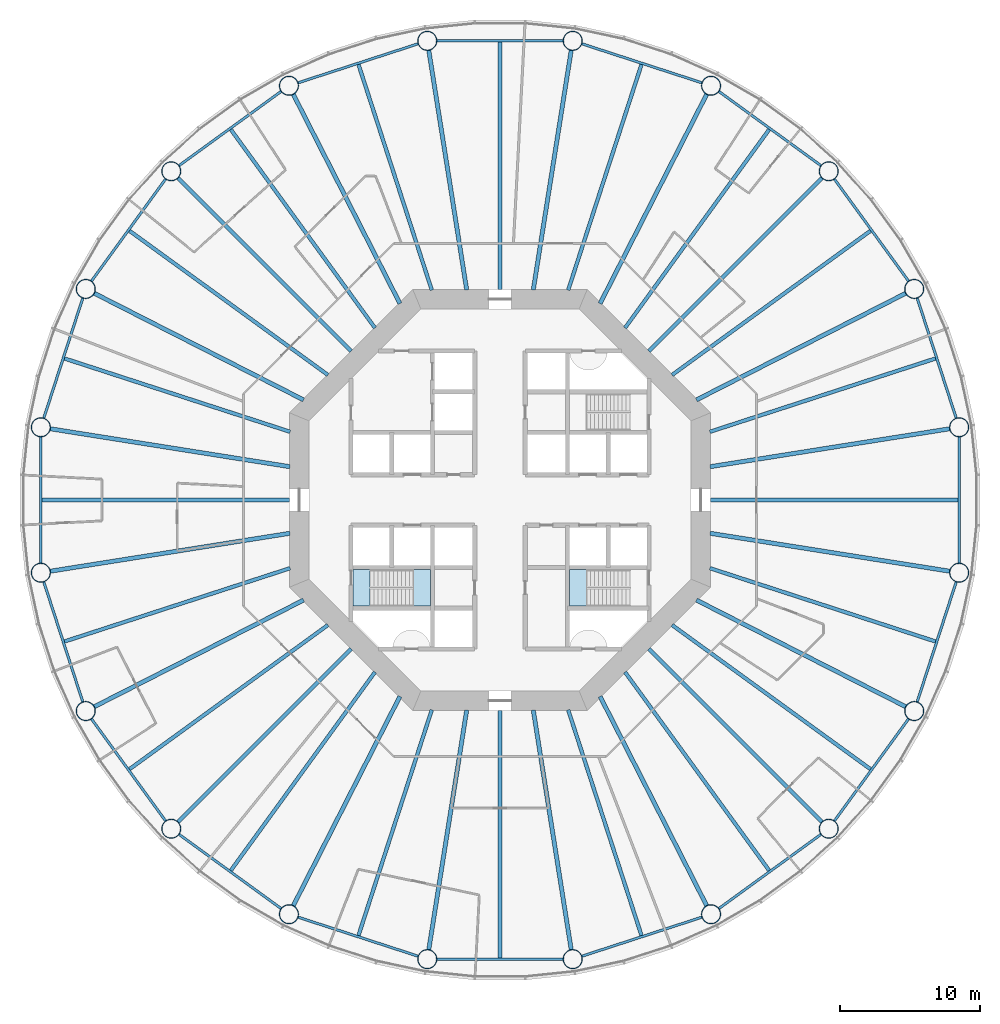
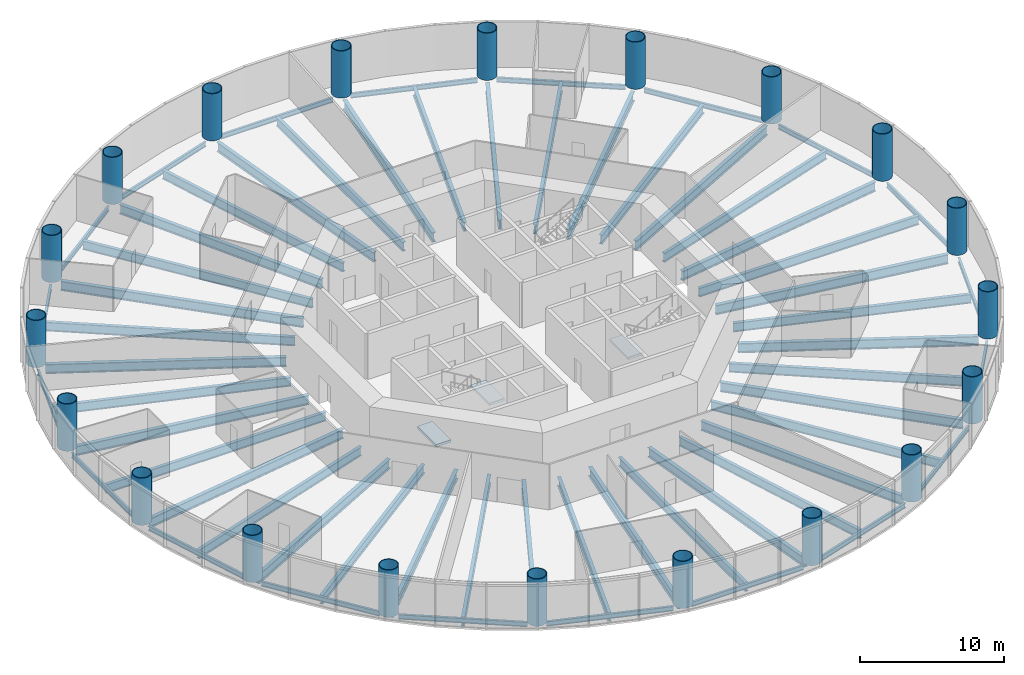
# One storey, part 1 of 13: 60 beams, 20 columns, 3 slabs, 2 elements without a shape of their own.
"""IFC4 building model written with IfcOpenShell, lengths in metres."""

from ifc_helpers import new_model, si_unit, direction, frame, origin, origin_2d, place, context, subcontext, project, spatial, polyline, circle, hollow_circle, i_section, outline, extrude, material, layer, layer_set, material_profile, profile_set, type_object, element, aggregate, save


model = new_model("IFC4")

# Units and contexts
model_context = context("Model", 3, precision=1e-05, world=origin(), true_north=direction((0.0, 1.0)))
body_context = subcontext(model_context, "Body", "Model", "MODEL_VIEW")
ifc_project = project(units=[si_unit("LENGTHUNIT", "METRE"), si_unit("AREAUNIT", "SQUARE_METRE"), si_unit("VOLUMEUNIT", "CUBIC_METRE"), si_unit("PLANEANGLEUNIT", "RADIAN"), si_unit("MASSUNIT", "GRAM", prefix="KILO")], contexts=[model_context])

# Site, building, storey
site_placement = place(None, origin())
site = spatial("IfcSite", under=ifc_project, at=site_placement, CompositionType="ELEMENT")
building_placement = place(site_placement, origin())
building = spatial("IfcBuilding", under=site, at=building_placement, Name="Entoto Ring Tower", CompositionType="ELEMENT")
storey_placement = place(building_placement, frame((0.0, 0.0, 58.0)))
storey = spatial("IfcBuildingStorey", under=building, at=storey_placement, Name="L12", CompositionType="ELEMENT", Elevation=58.0)

# Columns
ifc_material_1 = material(Name="Steel S355", Category="steel")
ifc_material_profile_1 = material_profile(ifc_material_1, hollow_circle(Radius=0.699951171875, WallThickness=0.06005859375, at=origin_2d()), Name="CHS 1400 x 60")
ifc_material_2 = material(Name="Concrete C60/75", Category="concrete")
ifc_material_profile_2 = material_profile(ifc_material_2, circle(Radius=0.639892578125, at=origin_2d()), Name="Concrete C60/75 infill")
ifc_profile_set_1 = profile_set([ifc_material_profile_1, ifc_material_profile_2], Name="Steel S355")
column_type = type_object("IfcColumnType", Name="Ring column 1400 x 60 concrete-filled tube", PredefinedType="COLUMN", material=ifc_profile_set_1)
for number, where, z_axis, x_axis, name in (
    (1, (122.6923828125, 85.177978515625, 0.0), (0.0, 0.0, 1.0), (1.0, 0.0, 0.0), "RC1 R01"),
    (2, (119.492431640625, 95.027099609375, 0.0), (0.0, 0.0, 1.0), (1.0, 0.0, 0.0), "RC1 R02"),
    (3, (113.4052734375, 103.4052734375, 0.0), (0.0, 0.0, 1.0), (1.0, 0.0, 0.0), "RC1 R03"),
    (4, (105.027099609375, 109.492431640625, 0.0), (0.0, 0.0, 1.0), (1.0, 0.0, 0.0), "RC1 R04"),
    (5, (95.177978515625, 112.6923828125, 0.0), (0.0, 0.0, 1.0), (1.0, 0.0, 0.0), "RC1 R05"),
    (6, (84.822021484375, 112.6923828125, 0.0), (0.0, 0.0, 1.0), (1.0, 0.0, 0.0), "RC1 R06"),
    (7, (74.972900390625, 109.492431640625, 0.0), (0.0, 0.0, 1.0), (1.0, 0.0, 0.0), "RC1 R07"),
    (8, (66.5947265625, 103.4052734375, 0.0), (0.0, 0.0, 1.0), (1.0, 0.0, 0.0), "RC1 R08"),
    (9, (60.507568359375, 95.027099609375, 0.0), (0.0, 0.0, 1.0), (1.0, 0.0, 0.0), "RC1 R09"),
    (10, (57.3076171875, 85.177978515625, 0.0), (0.0, 0.0, 1.0), (1.0, 0.0, 0.0), "RC1 R10"),
    (11, (57.3076171875, 74.822021484375, 0.0), (0.0, 0.0, 1.0), (1.0, 0.0, 0.0), "RC1 R11"),
    (12, (60.507568359375, 64.972900390625, 0.0), (0.0, 0.0, 1.0), (1.0, 0.0, 0.0), "RC1 R12"),
    (13, (66.5947265625, 56.5947265625, 0.0), (0.0, 0.0, 1.0), (1.0, 0.0, 0.0), "RC1 R13"),
    (14, (74.972900390625, 50.507568359375, 0.0), (0.0, 0.0, 1.0), (1.0, 0.0, 0.0), "RC1 R14"),
    (15, (84.822021484375, 47.3076171875, 0.0), (0.0, 0.0, 1.0), (1.0, 0.0, 0.0), "RC1 R15"),
    (16, (95.177978515625, 47.3076171875, 0.0), (0.0, 0.0, 1.0), (1.0, 0.0, 0.0), "RC1 R16"),
    (17, (105.027099609375, 50.507568359375, 0.0), (0.0, 0.0, 1.0), (1.0, 0.0, 0.0), "RC1 R17"),
    (18, (113.4052734375, 56.5947265625, 0.0), (0.0, 0.0, 1.0), (1.0, 0.0, 0.0), "RC1 R18"),
    (19, (119.492431640625, 64.972900390625, 0.0), (0.0, 0.0, 1.0), (1.0, 0.0, 0.0), "RC1 R19"),
    (20, (122.6923828125, 74.822021484375, 0.0), (0.0, 0.0, 1.0), (1.0, 0.0, 0.0), "RC1 R20"),
):
    element("IfcColumn", number, at=place(storey_placement, frame(where, z_axis=z_axis, x_axis=x_axis)), inside=storey, type_object=column_type, Name=name, PredefinedType="COLUMN", context=body_context, shape_type="SweptSolid", body=[
        extrude(hollow_circle(Radius=0.699951171875, WallThickness=0.06005859375, at=origin_2d()), origin(), (0.0, 0.0, 1.0), 4.0),
    ])

# Beams
ifc_material_3 = material(Name="Steel S355", Category="steel")
ifc_material_profile_3 = material_profile(ifc_material_3, i_section(OverallWidth=0.179931640625, OverallDepth=0.39990234375, WebThickness=0.008544921875, FlangeThickness=0.013427734375, FilletRadius=0.02099609375, at=origin_2d()), Name="IPE 400")
ifc_profile_set_2 = profile_set([ifc_material_profile_3], Name="Steel S355")
beam_type_1 = type_object("IfcBeamType", Name="Edge beam IPE 400", PredefinedType="SPANDREL", material=ifc_profile_set_2)
for number, where, z_axis, x_axis, name in (
    (21, (122.484130859375, 85.819091796875, -0.35009765625), (-0.309006400295, 0.951059958455, 0.0), (-0.951059958455, -0.309006400295, 0.0), "Edge beam L12 01"),
    (22, (119.09619140625, 95.572509765625, -0.35009765625), (-0.587792917156, 0.80901142547, 0.0), (-0.80901142547, -0.587792917156, 0.0), "Edge beam L12 02"),
    (23, (112.85986328125, 103.801513671875, -0.35009765625), (-0.80901142547, 0.587792917156, 0.0), (-0.587792917156, -0.80901142547, 0.0), "Edge beam L12 03"),
    (24, (104.385986328125, 109.70068359375, -0.35009765625), (-0.951059958455, 0.309006400295, 0.0), (-0.309006400295, -0.951059958455, 0.0), "Edge beam L12 04"),
    (25, (94.50390625, 112.6923828125, -0.35009765625), (-1.0, 0.0, 0.0), (0.0, -1.0, 0.0), "Edge beam L12 05"),
    (26, (84.180908203125, 112.484130859375, -0.35009765625), (-0.951059958455, -0.309006400295, 0.0), (0.309006400295, -0.951059958455, 0.0), "Edge beam L12 06"),
    (27, (74.427490234375, 109.09619140625, -0.35009765625), (-0.80901142547, -0.587792917156, 0.0), (0.587792917156, -0.80901142547, 0.0), "Edge beam L12 07"),
    (28, (66.198486328125, 102.85986328125, -0.35009765625), (-0.587792917156, -0.80901142547, 0.0), (0.80901142547, -0.587792917156, 0.0), "Edge beam L12 08"),
    (29, (60.29931640625, 94.385986328125, -0.35009765625), (-0.309006400295, -0.951059958455, 0.0), (0.951059958455, -0.309006400295, 0.0), "Edge beam L12 09"),
    (30, (57.3076171875, 84.50390625, -0.35009765625), (0.0, -1.0, 0.0), (1.0, 0.0, 0.0), "Edge beam L12 10"),
    (31, (57.515869140625, 74.180908203125, -0.35009765625), (0.309006400295, -0.951059958455, 0.0), (0.951059958455, 0.309006400295, 0.0), "Edge beam L12 11"),
    (32, (60.90380859375, 64.427490234375, -0.35009765625), (0.587792917156, -0.80901142547, 0.0), (0.80901142547, 0.587792917156, 0.0), "Edge beam L12 12"),
    (33, (67.14013671875, 56.198486328125, -0.35009765625), (0.80901142547, -0.587792917156, 0.0), (0.587792917156, 0.80901142547, 0.0), "Edge beam L12 13"),
    (34, (75.614013671875, 50.29931640625, -0.35009765625), (0.951059958455, -0.309006400295, 0.0), (0.309006400295, 0.951059958455, 0.0), "Edge beam L12 14"),
    (35, (85.49609375, 47.3076171875, -0.35009765625), (1.0, 0.0, 0.0), (0.0, 1.0, 0.0), "Edge beam L12 15"),
    (36, (95.819091796875, 47.515869140625, -0.35009765625), (0.951059958455, 0.309006400295, 0.0), (-0.309006400295, 0.951059958455, 0.0), "Edge beam L12 16"),
    (37, (105.572509765625, 50.90380859375, -0.35009765625), (0.80901142547, 0.587792917156, 0.0), (-0.587792917156, 0.80901142547, 0.0), "Edge beam L12 17"),
    (38, (113.801513671875, 57.14013671875, -0.35009765625), (0.587792917156, 0.80901142547, 0.0), (-0.80901142547, 0.587792917156, 0.0), "Edge beam L12 18"),
    (39, (119.70068359375, 65.614013671875, -0.35009765625), (0.309006400295, 0.951059958455, 0.0), (-0.951059958455, 0.309006400295, 0.0), "Edge beam L12 19"),
    (40, (122.6923828125, 75.49609375, -0.35009765625), (0.0, 1.0, 0.0), (-1.0, 0.0, 0.0), "Edge beam L12 20"),
):
    element("IfcBeam", number, at=place(storey_placement, frame(where, z_axis=z_axis, x_axis=x_axis)), inside=storey, type_object=beam_type_1, Name=name, PredefinedType="SPANDREL", context=body_context, shape_type="SweptSolid", body=[
        extrude(i_section(OverallWidth=0.179931640625, OverallDepth=0.39990234375, WebThickness=0.008544921875, FlangeThickness=0.013427734375, FilletRadius=0.02099609375, at=origin_2d()), origin(), (0.0, 0.0, 1.0), 9.0078125),
    ])
ifc_material_4 = material(Name="Steel S355", Category="steel")
ifc_material_profile_4 = material_profile(ifc_material_4, i_section(OverallWidth=0.300048828125, OverallDepth=0.800048828125, WebThickness=0.017578125, FlangeThickness=0.032958984375, FilletRadius=0.030029296875, at=origin_2d()), Name="HE 800 B")
ifc_profile_set_3 = profile_set([ifc_material_profile_4], Name="Steel S355")
beam_type_2 = type_object("IfcBeamType", Name="Primary floor beam HE 800 B", PredefinedType="BEAM", material=ifc_profile_set_3)
beam_1_placement = place(storey_placement, frame((104.956787109375, 82.368896484375, -0.550048828125), z_axis=(0.98768775999, 0.156438130794, 0.0), x_axis=(-0.156438130794, 0.98768775999, 0.0)))
element("IfcBeam", 41, at=beam_1_placement, inside=storey, type_object=beam_type_2, Name="Primary L12 R01", PredefinedType="BEAM", context=body_context, shape_type="SweptSolid", body=[
    extrude(i_section(OverallWidth=0.300048828125, OverallDepth=0.800048828125, WebThickness=0.017578125, FlangeThickness=0.032958984375, FilletRadius=0.030029296875, at=origin_2d()), origin(), (0.0, 0.0, 1.0), 17.293212890625),
])
beam_2_placement = place(storey_placement, frame((103.99169921875, 87.129150390625, -0.550048828125), z_axis=(0.891007761657, 0.453988071063, 0.0), x_axis=(-0.453988071063, 0.891007761657, 0.0)))
element("IfcBeam", 42, at=beam_2_placement, inside=storey, type_object=beam_type_2, Name="Primary L12 R02", PredefinedType="BEAM", context=body_context, shape_type="SweptSolid", body=[
    extrude(i_section(OverallWidth=0.300048828125, OverallDepth=0.800048828125, WebThickness=0.017578125, FlangeThickness=0.032958984375, FilletRadius=0.030029296875, at=origin_2d()), origin(), (0.0, 0.0, 1.0), 16.733154296875),
])
beam_3_placement = place(storey_placement, frame((100.592529296875, 90.592529296875, -0.550048828125), z_axis=(0.707106781187, 0.707106781187, 0.0), x_axis=(-0.707106781187, 0.707106781187, 0.0)))
element("IfcBeam", 43, at=beam_3_placement, inside=storey, type_object=beam_type_2, Name="Primary L12 R03", PredefinedType="BEAM", context=body_context, shape_type="SweptSolid", body=[
    extrude(i_section(OverallWidth=0.300048828125, OverallDepth=0.800048828125, WebThickness=0.017578125, FlangeThickness=0.032958984375, FilletRadius=0.030029296875, at=origin_2d()), origin(), (0.0, 0.0, 1.0), 17.456298828125),
])
beam_4_placement = place(storey_placement, frame((97.129150390625, 93.99169921875, -0.550048828125), z_axis=(0.453988071063, 0.891007761657, 0.0), x_axis=(-0.891007761657, 0.453988071063, 0.0)))
element("IfcBeam", 44, at=beam_4_placement, inside=storey, type_object=beam_type_2, Name="Primary L12 R04", PredefinedType="BEAM", context=body_context, shape_type="SweptSolid", body=[
    extrude(i_section(OverallWidth=0.300048828125, OverallDepth=0.800048828125, WebThickness=0.017578125, FlangeThickness=0.032958984375, FilletRadius=0.030029296875, at=origin_2d()), origin(), (0.0, 0.0, 1.0), 16.733154296875),
])
for number, where, z_axis, x_axis, name in (
    (45, (92.368896484375, 94.956787109375, -0.550048828125), (0.156438130794, 0.98768775999, 0.0), (-0.98768775999, 0.156438130794, 0.0), "Primary L12 R05"),
    (46, (87.631103515625, 94.956787109375, -0.550048828125), (-0.156438130794, 0.98768775999, 0.0), (-0.98768775999, -0.156438130794, 0.0), "Primary L12 R06"),
):
    element("IfcBeam", number, at=place(storey_placement, frame(where, z_axis=z_axis, x_axis=x_axis)), inside=storey, type_object=beam_type_2, Name=name, PredefinedType="BEAM", context=body_context, shape_type="SweptSolid", body=[
        extrude(i_section(OverallWidth=0.300048828125, OverallDepth=0.800048828125, WebThickness=0.017578125, FlangeThickness=0.032958984375, FilletRadius=0.030029296875, at=origin_2d()), origin(), (0.0, 0.0, 1.0), 17.293212890625),
    ])
beam_5_placement = place(storey_placement, frame((82.870849609375, 93.99169921875, -0.550048828125), z_axis=(-0.453988071063, 0.891007761657, 0.0), x_axis=(-0.891007761657, -0.453988071063, 0.0)))
element("IfcBeam", 47, at=beam_5_placement, inside=storey, type_object=beam_type_2, Name="Primary L12 R07", PredefinedType="BEAM", context=body_context, shape_type="SweptSolid", body=[
    extrude(i_section(OverallWidth=0.300048828125, OverallDepth=0.800048828125, WebThickness=0.017578125, FlangeThickness=0.032958984375, FilletRadius=0.030029296875, at=origin_2d()), origin(), (0.0, 0.0, 1.0), 16.733154296875),
])
beam_6_placement = place(storey_placement, frame((79.407470703125, 90.592529296875, -0.550048828125), z_axis=(-0.707106781187, 0.707106781187, 0.0), x_axis=(-0.707106781187, -0.707106781187, 0.0)))
element("IfcBeam", 48, at=beam_6_placement, inside=storey, type_object=beam_type_2, Name="Primary L12 R08", PredefinedType="BEAM", context=body_context, shape_type="SweptSolid", body=[
    extrude(i_section(OverallWidth=0.300048828125, OverallDepth=0.800048828125, WebThickness=0.017578125, FlangeThickness=0.032958984375, FilletRadius=0.030029296875, at=origin_2d()), origin(), (0.0, 0.0, 1.0), 17.456298828125),
])
beam_7_placement = place(storey_placement, frame((76.00830078125, 87.129150390625, -0.550048828125), z_axis=(-0.891007761657, 0.453988071063, 0.0), x_axis=(-0.453988071063, -0.891007761657, 0.0)))
element("IfcBeam", 49, at=beam_7_placement, inside=storey, type_object=beam_type_2, Name="Primary L12 R09", PredefinedType="BEAM", context=body_context, shape_type="SweptSolid", body=[
    extrude(i_section(OverallWidth=0.300048828125, OverallDepth=0.800048828125, WebThickness=0.017578125, FlangeThickness=0.032958984375, FilletRadius=0.030029296875, at=origin_2d()), origin(), (0.0, 0.0, 1.0), 16.733154296875),
])
for number, where, z_axis, x_axis, name in (
    (50, (75.043212890625, 82.368896484375, -0.550048828125), (-0.98768775999, 0.156438130794, 0.0), (-0.156438130794, -0.98768775999, 0.0), "Primary L12 R10"),
    (51, (75.043212890625, 77.631103515625, -0.550048828125), (-0.98768775999, -0.156438130794, 0.0), (0.156438130794, -0.98768775999, 0.0), "Primary L12 R11"),
):
    element("IfcBeam", number, at=place(storey_placement, frame(where, z_axis=z_axis, x_axis=x_axis)), inside=storey, type_object=beam_type_2, Name=name, PredefinedType="BEAM", context=body_context, shape_type="SweptSolid", body=[
        extrude(i_section(OverallWidth=0.300048828125, OverallDepth=0.800048828125, WebThickness=0.017578125, FlangeThickness=0.032958984375, FilletRadius=0.030029296875, at=origin_2d()), origin(), (0.0, 0.0, 1.0), 17.293212890625),
    ])
beam_8_placement = place(storey_placement, frame((76.00830078125, 72.870849609375, -0.550048828125), z_axis=(-0.891007761657, -0.453988071063, 0.0), x_axis=(0.453988071063, -0.891007761657, 0.0)))
element("IfcBeam", 52, at=beam_8_placement, inside=storey, type_object=beam_type_2, Name="Primary L12 R12", PredefinedType="BEAM", context=body_context, shape_type="SweptSolid", body=[
    extrude(i_section(OverallWidth=0.300048828125, OverallDepth=0.800048828125, WebThickness=0.017578125, FlangeThickness=0.032958984375, FilletRadius=0.030029296875, at=origin_2d()), origin(), (0.0, 0.0, 1.0), 16.733154296875),
])
beam_9_placement = place(storey_placement, frame((79.407470703125, 69.407470703125, -0.550048828125), z_axis=(-0.707106781187, -0.707106781187, 0.0), x_axis=(0.707106781187, -0.707106781187, 0.0)))
element("IfcBeam", 53, at=beam_9_placement, inside=storey, type_object=beam_type_2, Name="Primary L12 R13", PredefinedType="BEAM", context=body_context, shape_type="SweptSolid", body=[
    extrude(i_section(OverallWidth=0.300048828125, OverallDepth=0.800048828125, WebThickness=0.017578125, FlangeThickness=0.032958984375, FilletRadius=0.030029296875, at=origin_2d()), origin(), (0.0, 0.0, 1.0), 17.456298828125),
])
beam_10_placement = place(storey_placement, frame((82.870849609375, 66.00830078125, -0.550048828125), z_axis=(-0.453988071063, -0.891007761657, 0.0), x_axis=(0.891007761657, -0.453988071063, 0.0)))
element("IfcBeam", 54, at=beam_10_placement, inside=storey, type_object=beam_type_2, Name="Primary L12 R14", PredefinedType="BEAM", context=body_context, shape_type="SweptSolid", body=[
    extrude(i_section(OverallWidth=0.300048828125, OverallDepth=0.800048828125, WebThickness=0.017578125, FlangeThickness=0.032958984375, FilletRadius=0.030029296875, at=origin_2d()), origin(), (0.0, 0.0, 1.0), 16.733154296875),
])
for number, where, z_axis, x_axis, name in (
    (55, (87.631103515625, 65.043212890625, -0.550048828125), (-0.156438130794, -0.98768775999, 0.0), (0.98768775999, -0.156438130794, 0.0), "Primary L12 R15"),
    (56, (92.368896484375, 65.043212890625, -0.550048828125), (0.156438130794, -0.98768775999, 0.0), (0.98768775999, 0.156438130794, 0.0), "Primary L12 R16"),
):
    element("IfcBeam", number, at=place(storey_placement, frame(where, z_axis=z_axis, x_axis=x_axis)), inside=storey, type_object=beam_type_2, Name=name, PredefinedType="BEAM", context=body_context, shape_type="SweptSolid", body=[
        extrude(i_section(OverallWidth=0.300048828125, OverallDepth=0.800048828125, WebThickness=0.017578125, FlangeThickness=0.032958984375, FilletRadius=0.030029296875, at=origin_2d()), origin(), (0.0, 0.0, 1.0), 17.293212890625),
    ])
beam_11_placement = place(storey_placement, frame((97.129150390625, 66.00830078125, -0.550048828125), z_axis=(0.453988071063, -0.891007761657, 0.0), x_axis=(0.891007761657, 0.453988071063, 0.0)))
element("IfcBeam", 57, at=beam_11_placement, inside=storey, type_object=beam_type_2, Name="Primary L12 R17", PredefinedType="BEAM", context=body_context, shape_type="SweptSolid", body=[
    extrude(i_section(OverallWidth=0.300048828125, OverallDepth=0.800048828125, WebThickness=0.017578125, FlangeThickness=0.032958984375, FilletRadius=0.030029296875, at=origin_2d()), origin(), (0.0, 0.0, 1.0), 16.733154296875),
])
beam_12_placement = place(storey_placement, frame((100.592529296875, 69.407470703125, -0.550048828125), z_axis=(0.707106781187, -0.707106781187, 0.0), x_axis=(0.707106781187, 0.707106781187, 0.0)))
element("IfcBeam", 58, at=beam_12_placement, inside=storey, type_object=beam_type_2, Name="Primary L12 R18", PredefinedType="BEAM", context=body_context, shape_type="SweptSolid", body=[
    extrude(i_section(OverallWidth=0.300048828125, OverallDepth=0.800048828125, WebThickness=0.017578125, FlangeThickness=0.032958984375, FilletRadius=0.030029296875, at=origin_2d()), origin(), (0.0, 0.0, 1.0), 17.456298828125),
])
beam_13_placement = place(storey_placement, frame((103.99169921875, 72.870849609375, -0.550048828125), z_axis=(0.891007761657, -0.453988071063, 0.0), x_axis=(0.453988071063, 0.891007761657, 0.0)))
element("IfcBeam", 59, at=beam_13_placement, inside=storey, type_object=beam_type_2, Name="Primary L12 R19", PredefinedType="BEAM", context=body_context, shape_type="SweptSolid", body=[
    extrude(i_section(OverallWidth=0.300048828125, OverallDepth=0.800048828125, WebThickness=0.017578125, FlangeThickness=0.032958984375, FilletRadius=0.030029296875, at=origin_2d()), origin(), (0.0, 0.0, 1.0), 16.733154296875),
])
beam_14_placement = place(storey_placement, frame((104.956787109375, 77.631103515625, -0.550048828125), z_axis=(0.98768775999, -0.156438130794, 0.0), x_axis=(0.156438130794, 0.98768775999, 0.0)))
element("IfcBeam", 60, at=beam_14_placement, inside=storey, type_object=beam_type_2, Name="Primary L12 R20", PredefinedType="BEAM", context=body_context, shape_type="SweptSolid", body=[
    extrude(i_section(OverallWidth=0.300048828125, OverallDepth=0.800048828125, WebThickness=0.017578125, FlangeThickness=0.032958984375, FilletRadius=0.030029296875, at=origin_2d()), origin(), (0.0, 0.0, 1.0), 17.293212890625),
])
ifc_material_5 = material(Name="Steel S355", Category="steel")
ifc_material_profile_5 = material_profile(ifc_material_5, i_section(OverallWidth=0.262939453125, OverallDepth=0.7529296875, WebThickness=0.011474609375, FlangeThickness=0.01708984375, FilletRadius=0.01708984375, at=origin_2d()), Name="IPE 750 x 137")
ifc_profile_set_4 = profile_set([ifc_material_profile_5], Name="Steel S355")
beam_type_3 = type_object("IfcBeamType", Name="Secondary floor beam IPE 750 x 137", PredefinedType="JOIST", material=ifc_profile_set_4)
beam_15_placement = place(storey_placement, frame((104.9404296875, 84.8544921875, -0.526611328125), z_axis=(0.951057855768, 0.30901287187, 0.0), x_axis=(-0.30901287187, 0.951057855768, 0.0)))
element("IfcBeam", 61, at=beam_15_placement, inside=storey, type_object=beam_type_3, Name="Secondary beam L12 01", PredefinedType="JOIST", context=body_context, shape_type="SweptSolid", body=[
    extrude(i_section(OverallWidth=0.262939453125, OverallDepth=0.7529296875, WebThickness=0.011474609375, FlangeThickness=0.01708984375, FilletRadius=0.01708984375, at=origin_2d()), origin(), (0.0, 0.0, 1.0), 16.893310546875),
])
for number, where, z_axis, x_axis, name in (
    (62, (102.25341796875, 88.902587890625, -0.526611328125), (0.809014194973, 0.58778910532, 0.0), (-0.58778910532, 0.809014194973, 0.0), "Secondary beam L12 02"),
    (63, (98.902587890625, 92.25341796875, -0.526611328125), (0.58778910532, 0.809014194973, 0.0), (-0.809014194973, 0.58778910532, 0.0), "Secondary beam L12 03"),
):
    element("IfcBeam", number, at=place(storey_placement, frame(where, z_axis=z_axis, x_axis=x_axis)), inside=storey, type_object=beam_type_3, Name=name, PredefinedType="JOIST", context=body_context, shape_type="SweptSolid", body=[
        extrude(i_section(OverallWidth=0.262939453125, OverallDepth=0.7529296875, WebThickness=0.011474609375, FlangeThickness=0.01708984375, FilletRadius=0.01708984375, at=origin_2d()), origin(), (0.0, 0.0, 1.0), 17.45654296875),
    ])
beam_16_placement = place(storey_placement, frame((94.8544921875, 94.9404296875, -0.526611328125), z_axis=(0.30901287187, 0.951057855768, 0.0), x_axis=(-0.951057855768, 0.30901287187, 0.0)))
element("IfcBeam", 64, at=beam_16_placement, inside=storey, type_object=beam_type_3, Name="Secondary beam L12 04", PredefinedType="JOIST", context=body_context, shape_type="SweptSolid", body=[
    extrude(i_section(OverallWidth=0.262939453125, OverallDepth=0.7529296875, WebThickness=0.011474609375, FlangeThickness=0.01708984375, FilletRadius=0.01708984375, at=origin_2d()), origin(), (0.0, 0.0, 1.0), 16.893310546875),
])
beam_17_placement = place(storey_placement, frame((90.0, 94.97998046875, -0.526611328125), z_axis=(0.0, 1.0, 0.0), x_axis=(-1.0, 0.0, 0.0)))
element("IfcBeam", 65, at=beam_17_placement, inside=storey, type_object=beam_type_3, Name="Secondary beam L12 05", PredefinedType="JOIST", context=body_context, shape_type="SweptSolid", body=[
    extrude(i_section(OverallWidth=0.262939453125, OverallDepth=0.7529296875, WebThickness=0.011474609375, FlangeThickness=0.01708984375, FilletRadius=0.01708984375, at=origin_2d()), origin(), (0.0, 0.0, 1.0), 17.62255859375),
])
beam_18_placement = place(storey_placement, frame((85.1455078125, 94.9404296875, -0.526611328125), z_axis=(-0.30901287187, 0.951057855768, 0.0), x_axis=(-0.951057855768, -0.30901287187, 0.0)))
element("IfcBeam", 66, at=beam_18_placement, inside=storey, type_object=beam_type_3, Name="Secondary beam L12 06", PredefinedType="JOIST", context=body_context, shape_type="SweptSolid", body=[
    extrude(i_section(OverallWidth=0.262939453125, OverallDepth=0.7529296875, WebThickness=0.011474609375, FlangeThickness=0.01708984375, FilletRadius=0.01708984375, at=origin_2d()), origin(), (0.0, 0.0, 1.0), 16.893310546875),
])
for number, where, z_axis, x_axis, name in (
    (67, (81.097412109375, 92.25341796875, -0.526611328125), (-0.58778910532, 0.809014194973, 0.0), (-0.809014194973, -0.58778910532, 0.0), "Secondary beam L12 07"),
    (68, (77.74658203125, 88.902587890625, -0.526611328125), (-0.809014194973, 0.58778910532, 0.0), (-0.58778910532, -0.809014194973, 0.0), "Secondary beam L12 08"),
):
    element("IfcBeam", number, at=place(storey_placement, frame(where, z_axis=z_axis, x_axis=x_axis)), inside=storey, type_object=beam_type_3, Name=name, PredefinedType="JOIST", context=body_context, shape_type="SweptSolid", body=[
        extrude(i_section(OverallWidth=0.262939453125, OverallDepth=0.7529296875, WebThickness=0.011474609375, FlangeThickness=0.01708984375, FilletRadius=0.01708984375, at=origin_2d()), origin(), (0.0, 0.0, 1.0), 17.45654296875),
    ])
beam_19_placement = place(storey_placement, frame((75.0595703125, 84.8544921875, -0.526611328125), z_axis=(-0.951057855768, 0.30901287187, 0.0), x_axis=(-0.30901287187, -0.951057855768, 0.0)))
element("IfcBeam", 69, at=beam_19_placement, inside=storey, type_object=beam_type_3, Name="Secondary beam L12 09", PredefinedType="JOIST", context=body_context, shape_type="SweptSolid", body=[
    extrude(i_section(OverallWidth=0.262939453125, OverallDepth=0.7529296875, WebThickness=0.011474609375, FlangeThickness=0.01708984375, FilletRadius=0.01708984375, at=origin_2d()), origin(), (0.0, 0.0, 1.0), 16.893310546875),
])
beam_20_placement = place(storey_placement, frame((75.02001953125, 80.0, -0.526611328125), z_axis=(-1.0, 0.0, 0.0), x_axis=(0.0, -1.0, 0.0)))
element("IfcBeam", 70, at=beam_20_placement, inside=storey, type_object=beam_type_3, Name="Secondary beam L12 10", PredefinedType="JOIST", context=body_context, shape_type="SweptSolid", body=[
    extrude(i_section(OverallWidth=0.262939453125, OverallDepth=0.7529296875, WebThickness=0.011474609375, FlangeThickness=0.01708984375, FilletRadius=0.01708984375, at=origin_2d()), origin(), (0.0, 0.0, 1.0), 17.62255859375),
])
beam_21_placement = place(storey_placement, frame((75.0595703125, 75.1455078125, -0.526611328125), z_axis=(-0.951057855768, -0.30901287187, 0.0), x_axis=(0.30901287187, -0.951057855768, 0.0)))
element("IfcBeam", 71, at=beam_21_placement, inside=storey, type_object=beam_type_3, Name="Secondary beam L12 11", PredefinedType="JOIST", context=body_context, shape_type="SweptSolid", body=[
    extrude(i_section(OverallWidth=0.262939453125, OverallDepth=0.7529296875, WebThickness=0.011474609375, FlangeThickness=0.01708984375, FilletRadius=0.01708984375, at=origin_2d()), origin(), (0.0, 0.0, 1.0), 16.893310546875),
])
for number, where, z_axis, x_axis, name in (
    (72, (77.74658203125, 71.097412109375, -0.526611328125), (-0.809014194973, -0.58778910532, 0.0), (0.58778910532, -0.809014194973, 0.0), "Secondary beam L12 12"),
    (73, (81.097412109375, 67.74658203125, -0.526611328125), (-0.58778910532, -0.809014194973, 0.0), (0.809014194973, -0.58778910532, 0.0), "Secondary beam L12 13"),
):
    element("IfcBeam", number, at=place(storey_placement, frame(where, z_axis=z_axis, x_axis=x_axis)), inside=storey, type_object=beam_type_3, Name=name, PredefinedType="JOIST", context=body_context, shape_type="SweptSolid", body=[
        extrude(i_section(OverallWidth=0.262939453125, OverallDepth=0.7529296875, WebThickness=0.011474609375, FlangeThickness=0.01708984375, FilletRadius=0.01708984375, at=origin_2d()), origin(), (0.0, 0.0, 1.0), 17.45654296875),
    ])
beam_22_placement = place(storey_placement, frame((85.1455078125, 65.0595703125, -0.526611328125), z_axis=(-0.30901287187, -0.951057855768, 0.0), x_axis=(0.951057855768, -0.30901287187, 0.0)))
element("IfcBeam", 74, at=beam_22_placement, inside=storey, type_object=beam_type_3, Name="Secondary beam L12 14", PredefinedType="JOIST", context=body_context, shape_type="SweptSolid", body=[
    extrude(i_section(OverallWidth=0.262939453125, OverallDepth=0.7529296875, WebThickness=0.011474609375, FlangeThickness=0.01708984375, FilletRadius=0.01708984375, at=origin_2d()), origin(), (0.0, 0.0, 1.0), 16.893310546875),
])
beam_23_placement = place(storey_placement, frame((90.0, 65.02001953125, -0.526611328125), z_axis=(0.0, -1.0, 0.0), x_axis=(1.0, 0.0, 0.0)))
element("IfcBeam", 75, at=beam_23_placement, inside=storey, type_object=beam_type_3, Name="Secondary beam L12 15", PredefinedType="JOIST", context=body_context, shape_type="SweptSolid", body=[
    extrude(i_section(OverallWidth=0.262939453125, OverallDepth=0.7529296875, WebThickness=0.011474609375, FlangeThickness=0.01708984375, FilletRadius=0.01708984375, at=origin_2d()), origin(), (0.0, 0.0, 1.0), 17.62255859375),
])
beam_24_placement = place(storey_placement, frame((94.8544921875, 65.0595703125, -0.526611328125), z_axis=(0.30901287187, -0.951057855768, 0.0), x_axis=(0.951057855768, 0.30901287187, 0.0)))
element("IfcBeam", 76, at=beam_24_placement, inside=storey, type_object=beam_type_3, Name="Secondary beam L12 16", PredefinedType="JOIST", context=body_context, shape_type="SweptSolid", body=[
    extrude(i_section(OverallWidth=0.262939453125, OverallDepth=0.7529296875, WebThickness=0.011474609375, FlangeThickness=0.01708984375, FilletRadius=0.01708984375, at=origin_2d()), origin(), (0.0, 0.0, 1.0), 16.893310546875),
])
for number, where, z_axis, x_axis, name in (
    (77, (98.902587890625, 67.74658203125, -0.526611328125), (0.58778910532, -0.809014194973, 0.0), (0.809014194973, 0.58778910532, 0.0), "Secondary beam L12 17"),
    (78, (102.25341796875, 71.097412109375, -0.526611328125), (0.809014194973, -0.58778910532, 0.0), (0.58778910532, 0.809014194973, 0.0), "Secondary beam L12 18"),
):
    element("IfcBeam", number, at=place(storey_placement, frame(where, z_axis=z_axis, x_axis=x_axis)), inside=storey, type_object=beam_type_3, Name=name, PredefinedType="JOIST", context=body_context, shape_type="SweptSolid", body=[
        extrude(i_section(OverallWidth=0.262939453125, OverallDepth=0.7529296875, WebThickness=0.011474609375, FlangeThickness=0.01708984375, FilletRadius=0.01708984375, at=origin_2d()), origin(), (0.0, 0.0, 1.0), 17.45654296875),
    ])
beam_25_placement = place(storey_placement, frame((104.9404296875, 75.1455078125, -0.526611328125), z_axis=(0.951057855768, -0.30901287187, 0.0), x_axis=(0.30901287187, 0.951057855768, 0.0)))
element("IfcBeam", 79, at=beam_25_placement, inside=storey, type_object=beam_type_3, Name="Secondary beam L12 19", PredefinedType="JOIST", context=body_context, shape_type="SweptSolid", body=[
    extrude(i_section(OverallWidth=0.262939453125, OverallDepth=0.7529296875, WebThickness=0.011474609375, FlangeThickness=0.01708984375, FilletRadius=0.01708984375, at=origin_2d()), origin(), (0.0, 0.0, 1.0), 16.893310546875),
])
beam_26_placement = place(storey_placement, frame((104.97998046875, 80.0, -0.526611328125), z_axis=(1.0, 0.0, 0.0), x_axis=(0.0, 1.0, 0.0)))
element("IfcBeam", 80, at=beam_26_placement, inside=storey, type_object=beam_type_3, Name="Secondary beam L12 20", PredefinedType="JOIST", context=body_context, shape_type="SweptSolid", body=[
    extrude(i_section(OverallWidth=0.262939453125, OverallDepth=0.7529296875, WebThickness=0.011474609375, FlangeThickness=0.01708984375, FilletRadius=0.01708984375, at=origin_2d()), origin(), (0.0, 0.0, 1.0), 17.62255859375),
])

# Stair, slabs
ifc_material_6 = material(Name="Concrete C40/50", Category="concrete")
stair_type = type_object("IfcStairType", Name="Exit stair 1200 mm dog-leg reinforced concrete", PredefinedType="HALF_TURN_STAIR", material=ifc_material_6)
stair_1_placement = place(storey_placement, origin())
stair_1 = element("IfcStair", 81, at=stair_1_placement, inside=storey, type_object=stair_type, Name="Exit stair 2", PredefinedType="HALF_TURN_STAIR")
ifc_material_7 = material(Name="Concrete C40/50", Category="concrete")
ifc_layer = layer(ifc_material_7, 0.199951171875)
ifc_layer_set = layer_set([ifc_layer], Name="Concrete C40/50")
slab_type = type_object("IfcSlabType", Name="Stair landing 200 mm reinforced concrete", PredefinedType="LANDING", material=ifc_layer_set)
slab_1_placement = place(storey_placement, frame((0.0, 0.0, -0.199951171875)))
slab_1 = element("IfcSlab", 82, at=slab_1_placement, type_object=slab_type, Name="ST2 landing 1", PredefinedType="LANDING", context=body_context, shape_type="SweptSolid", body=[
    extrude(outline(polyline([(80.75, 72.449951171875), (80.75, 75.050048828125), (79.550048828125, 75.050048828125), (79.550048828125, 72.449951171875), (80.75, 72.449951171875)])), origin(), (0.0, 0.0, 1.0), 0.199951171875),
])
slab_2_placement = place(storey_placement, frame((0.0, 0.0, 1.800048828125)))
slab_2 = element("IfcSlab", 83, at=slab_2_placement, type_object=slab_type, Name="ST2 landing 2", PredefinedType="LANDING", context=body_context, shape_type="SweptSolid", body=[
    extrude(outline(polyline([(83.830078125, 72.449951171875), (85.050048828125, 72.449951171875), (85.050048828125, 75.050048828125), (83.830078125, 75.050048828125), (83.830078125, 72.449951171875)])), origin(), (0.0, 0.0, 1.0), 0.199951171875),
])
aggregate(stair_1, [slab_1, slab_2])

# Stair, slab
stair_2_placement = place(storey_placement, origin())
stair_2 = element("IfcStair", 84, at=stair_2_placement, inside=storey, type_object=stair_type, Name="Exit stair 3", PredefinedType="HALF_TURN_STAIR")
slab_3_placement = place(storey_placement, frame((0.0, 0.0, 1.800048828125)))
slab_3 = element("IfcSlab", 85, at=slab_3_placement, type_object=slab_type, Name="ST3 landing 2", PredefinedType="LANDING", context=body_context, shape_type="SweptSolid", body=[
    extrude(outline(polyline([(94.949951171875, 72.449951171875), (96.169921875, 72.449951171875), (96.169921875, 75.050048828125), (94.949951171875, 75.050048828125), (94.949951171875, 72.449951171875)])), origin(), (0.0, 0.0, 1.0), 0.199951171875),
])
aggregate(stair_2, [slab_3])

save(model, "model.ifc")
